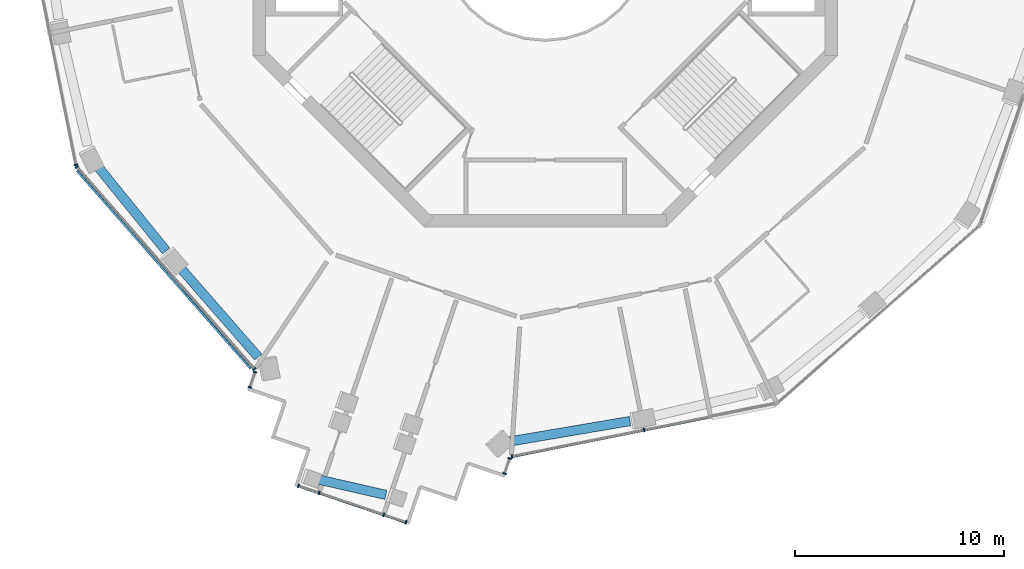
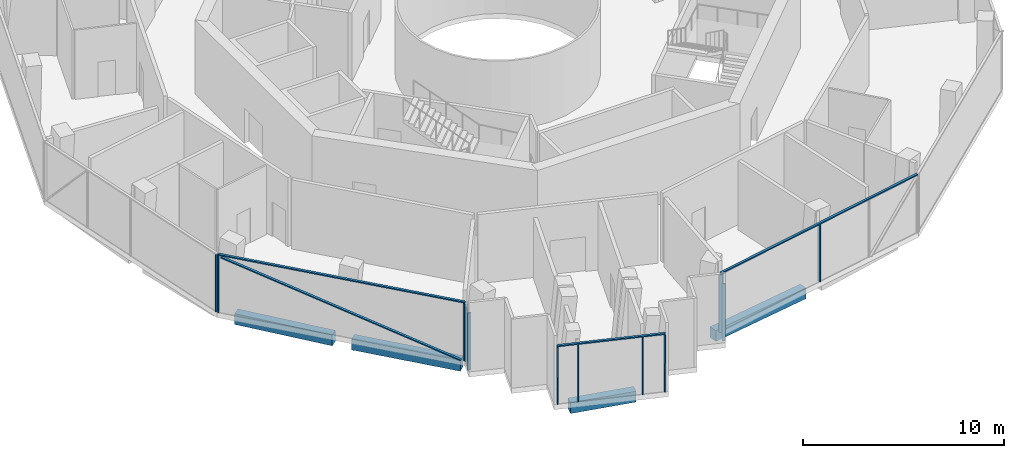
# One storey, part 2 of 17: 17 members, 4 beams, 6 elements without a shape of their own.
"""IFC4 building model written with IfcOpenShell, lengths in metres."""

from ifc_helpers import new_model, si_unit, direction, frame, origin, origin_2d, place, context, subcontext, project, spatial, rectangle, extrude, material, layer, layer_set, material_profile, profile_set, type_object, element, aggregate, save


model = new_model("IFC4")

# Units and contexts
model_context = context("Model", 3, precision=1e-05, world=origin(), true_north=direction((0.0, 1.0)))
body_context = subcontext(model_context, "Body", "Model", "MODEL_VIEW")
ifc_project = project(units=[si_unit("LENGTHUNIT", "METRE"), si_unit("AREAUNIT", "SQUARE_METRE"), si_unit("VOLUMEUNIT", "CUBIC_METRE"), si_unit("PLANEANGLEUNIT", "RADIAN"), si_unit("MASSUNIT", "GRAM", prefix="KILO")], contexts=[model_context])

# Site, building, storey
site_placement = place(None, origin())
site = spatial("IfcSite", under=ifc_project, at=site_placement, CompositionType="ELEMENT")
building_placement = place(site_placement, origin())
building = spatial("IfcBuilding", under=site, at=building_placement, Name="Verdalira Terraces Hotel", CompositionType="ELEMENT")
storey_placement = place(building_placement, frame((0.0, 0.0, 201.0)))
storey = spatial("IfcBuildingStorey", under=building, at=storey_placement, Name="L49", CompositionType="ELEMENT", Elevation=201.0)

# Curtain wall, member
ifc_material_1 = material(Name="Clear glass", Category="glass")
ifc_layer = layer(ifc_material_1, 0.179931640625)
ifc_layer_set = layer_set([ifc_layer], Name="CW4 curtain wall")
curtain_wall_type = type_object("IfcCurtainWallType", Name="CW4 curtain wall", PredefinedType="NOTDEFINED", material=ifc_layer_set)
curtain_wall_1_placement = place(storey_placement, origin())
curtain_wall_1 = element("IfcCurtainWall", 1, at=curtain_wall_1_placement, inside=storey, type_object=curtain_wall_type, Name="CW4 curtain wall L49 edge 12", PredefinedType="NOTDEFINED")
ifc_material_2 = material(Name="Terracotta frame", Category="masonry")
ifc_material_profile_1 = material_profile(ifc_material_2, rectangle(XDim=0.064941, YDim=0.179932, at=origin_2d()), Name="MU 65x180")
ifc_profile_set_1 = profile_set([ifc_material_profile_1], Name="Terracotta frame")
member_type_1 = type_object("IfcMemberType", Name="CW4 mullion 65x180", PredefinedType="MULLION", material=ifc_profile_set_1)
member_1_placement = place(storey_placement, frame((-22.473633, -11.036377, 0.0), z_axis=(0.0, 0.0, 1.0), x_axis=(0.195603833, -0.980682997, 0.0)))
member_1 = element("IfcMember", 2, at=member_1_placement, type_object=member_type_1, Name="CW4 mullion", PredefinedType="MULLION", context=body_context, shape_type="SweptSolid", body=[
    extrude(rectangle(XDim=0.064941, YDim=0.179932, at=origin_2d()), origin(), (0.0, 0.0, 1.0), 3.469971),
])
aggregate(curtain_wall_1, [member_1])

# Curtain wall, members
curtain_wall_2_placement = place(storey_placement, origin())
curtain_wall_2 = element("IfcCurtainWall", 3, at=curtain_wall_2_placement, inside=storey, type_object=curtain_wall_type, Name="CW4 curtain wall L49 edge 13", PredefinedType="NOTDEFINED")
member_2_placement = place(storey_placement, frame((-22.425293, -11.134521, 0.0), z_axis=(0.0, 0.0, 1.0), x_axis=(0.659739387, -0.751494472, 0.0)))
member_2 = element("IfcMember", 4, at=member_2_placement, type_object=member_type_1, Name="CW4 mullion", PredefinedType="MULLION", context=body_context, shape_type="SweptSolid", body=[
    extrude(rectangle(XDim=0.064941, YDim=0.179932, at=origin_2d()), origin(), (0.0, 0.0, 1.0), 3.469971),
])
member_3_placement = place(storey_placement, frame((-13.929443, -20.811768, 0.0), z_axis=(0.0, 0.0, 1.0), x_axis=(0.659739387, -0.751494472, 0.0)))
member_3 = element("IfcMember", 5, at=member_3_placement, type_object=member_type_1, Name="CW4 mullion", PredefinedType="MULLION", context=body_context, shape_type="SweptSolid", body=[
    extrude(rectangle(XDim=0.064941, YDim=0.179932, at=origin_2d()), origin(), (0.0, 0.0, 1.0), 3.469971),
])

curtain_wall_3_placement = place(storey_placement, origin())
curtain_wall_3 = element("IfcCurtainWall", 6, at=curtain_wall_3_placement, inside=storey, type_object=curtain_wall_type, Name="CW4 curtain wall L49 edge 14", PredefinedType="NOTDEFINED")
member_4_placement = place(storey_placement, frame((-13.900879, -20.955322, 0.0), z_axis=(0.0, 0.0, 1.0), x_axis=(-0.32094361, -0.947098305, 0.0)))
member_4 = element("IfcMember", 7, at=member_4_placement, type_object=member_type_1, Name="CW4 mullion", PredefinedType="MULLION", context=body_context, shape_type="SweptSolid", body=[
    extrude(rectangle(XDim=0.064941, YDim=0.179932, at=origin_2d()), origin(), (0.0, 0.0, 1.0), 3.469971),
])
member_5_placement = place(storey_placement, frame((-14.147217, -21.682373, 0.0), z_axis=(0.0, 0.0, 1.0), x_axis=(-0.32094361, -0.947098305, 0.0)))
member_5 = element("IfcMember", 8, at=member_5_placement, type_object=member_type_1, Name="CW4 mullion", PredefinedType="MULLION", context=body_context, shape_type="SweptSolid", body=[
    extrude(rectangle(XDim=0.064941, YDim=0.179932, at=origin_2d()), origin(), (0.0, 0.0, 1.0), 3.469971),
])
aggregate(curtain_wall_3, [member_4, member_5])

curtain_wall_4_placement = place(storey_placement, origin())
curtain_wall_4 = element("IfcCurtainWall", 9, at=curtain_wall_4_placement, inside=storey, type_object=curtain_wall_type, Name="CW4 curtain wall L49 edge 19", PredefinedType="NOTDEFINED")
member_6_placement = place(storey_placement, frame((-11.816406, -26.402588, 0.0), z_axis=(0.0, 0.0, 1.0), x_axis=(0.947098305, -0.32094361, 0.0)))
member_6 = element("IfcMember", 10, at=member_6_placement, type_object=member_type_1, Name="CW4 mullion", PredefinedType="MULLION", context=body_context, shape_type="SweptSolid", body=[
    extrude(rectangle(XDim=0.064941, YDim=0.179932, at=origin_2d()), origin(), (0.0, 0.0, 1.0), 3.469971),
])
member_7_placement = place(storey_placement, frame((-10.825684, -26.738281, 0.0), z_axis=(0.0, 0.0, 1.0), x_axis=(0.947098305, -0.32094361, 0.0)))
member_7 = element("IfcMember", 11, at=member_7_placement, type_object=member_type_1, Name="CW4 mullion", PredefinedType="MULLION", context=body_context, shape_type="SweptSolid", body=[
    extrude(rectangle(XDim=0.064941, YDim=0.179932, at=origin_2d()), origin(), (0.0, 0.0, 1.0), 3.469971),
])
member_8_placement = place(storey_placement, frame((-7.733887, -27.786133, 0.0), z_axis=(0.0, 0.0, 1.0), x_axis=(0.947098305, -0.32094361, 0.0)))
member_8 = element("IfcMember", 12, at=member_8_placement, type_object=member_type_1, Name="CW4 mullion", PredefinedType="MULLION", context=body_context, shape_type="SweptSolid", body=[
    extrude(rectangle(XDim=0.064941, YDim=0.179932, at=origin_2d()), origin(), (0.0, 0.0, 1.0), 3.469971),
])
member_9_placement = place(storey_placement, frame((-6.668945, -28.146973, 0.0), z_axis=(0.0, 0.0, 1.0), x_axis=(0.947098305, -0.32094361, 0.0)))
member_9 = element("IfcMember", 13, at=member_9_placement, type_object=member_type_1, Name="CW4 mullion", PredefinedType="MULLION", context=body_context, shape_type="SweptSolid", body=[
    extrude(rectangle(XDim=0.064941, YDim=0.179932, at=origin_2d()), origin(), (0.0, 0.0, 1.0), 3.469971),
])

curtain_wall_5_placement = place(storey_placement, origin())
curtain_wall_5 = element("IfcCurtainWall", 14, at=curtain_wall_5_placement, inside=storey, type_object=curtain_wall_type, Name="CW4 curtain wall L49 edge 24", PredefinedType="NOTDEFINED")
member_10_placement = place(storey_placement, frame((-1.94873, -25.816162, 0.0), z_axis=(0.0, 0.0, 1.0), x_axis=(0.32094361, 0.947098305, 0.0)))
member_10 = element("IfcMember", 15, at=member_10_placement, type_object=member_type_1, Name="CW4 mullion", PredefinedType="MULLION", context=body_context, shape_type="SweptSolid", body=[
    extrude(rectangle(XDim=0.064941, YDim=0.179932, at=origin_2d()), origin(), (0.0, 0.0, 1.0), 3.469971),
])
member_11_placement = place(storey_placement, frame((-1.702148, -25.089111, 0.0), z_axis=(0.0, 0.0, 1.0), x_axis=(0.32094361, 0.947098305, 0.0)))
member_11 = element("IfcMember", 16, at=member_11_placement, type_object=member_type_1, Name="CW4 mullion", PredefinedType="MULLION", context=body_context, shape_type="SweptSolid", body=[
    extrude(rectangle(XDim=0.064941, YDim=0.179932, at=origin_2d()), origin(), (0.0, 0.0, 1.0), 3.469971),
])
aggregate(curtain_wall_5, [member_10, member_11])

curtain_wall_6_placement = place(storey_placement, origin())
curtain_wall_6 = element("IfcCurtainWall", 17, at=curtain_wall_6_placement, inside=storey, type_object=curtain_wall_type, Name="CW4 curtain wall L49 edge 25", PredefinedType="NOTDEFINED")
member_12_placement = place(storey_placement, frame((-1.592285, -24.992676, 0.0), z_axis=(0.0, 0.0, 1.0), x_axis=(0.980682997, 0.195603833, 0.0)))
member_12 = element("IfcMember", 18, at=member_12_placement, type_object=member_type_1, Name="CW4 mullion", PredefinedType="MULLION", context=body_context, shape_type="SweptSolid", body=[
    extrude(rectangle(XDim=0.064941, YDim=0.179932, at=origin_2d()), origin(), (0.0, 0.0, 1.0), 3.469971),
])
member_13_placement = place(storey_placement, frame((4.733398, -23.730957, 0.0), z_axis=(0.0, 0.0, 1.0), x_axis=(0.980682997, 0.195603833, 0.0)))
member_13 = element("IfcMember", 19, at=member_13_placement, type_object=member_type_1, Name="CW4 mullion", PredefinedType="MULLION", context=body_context, shape_type="SweptSolid", body=[
    extrude(rectangle(XDim=0.064941, YDim=0.179932, at=origin_2d()), origin(), (0.0, 0.0, 1.0), 3.469971),
])

# Member
ifc_material_3 = material(Name="Terracotta frame", Category="masonry")
ifc_material_profile_2 = material_profile(ifc_material_3, rectangle(XDim=0.139893, YDim=0.070068, at=origin_2d()), Name="TR 70x140")
ifc_profile_set_2 = profile_set([ifc_material_profile_2], Name="Terracotta frame")
member_type_2 = type_object("IfcMemberType", Name="CW4 transom 70x140", PredefinedType="USERDEFINED", material=ifc_profile_set_2)
member_14_placement = place(storey_placement, frame((-22.446777, -11.110107, 3.504883), z_axis=(0.659751032, -0.751484249, 0.0), x_axis=(0.751484249, 0.659751032, 0.0)))
member_14 = element("IfcMember", 20, at=member_14_placement, type_object=member_type_2, Name="CW4 transom", ObjectType="TRANSOM", PredefinedType="USERDEFINED", context=body_context, shape_type="SweptSolid", body=[
    extrude(rectangle(XDim=0.139893, YDim=0.070068, at=origin_2d()), origin(), (0.0, 0.0, 1.0), 12.942383),
])

member_15_placement = place(storey_placement, frame((-11.847168, -26.392334, 3.504883), z_axis=(0.947100187, -0.320938056, 0.0), x_axis=(0.320938056, 0.947100187, 0.0)))
member_15 = element("IfcMember", 21, at=member_15_placement, type_object=member_type_2, Name="CW4 transom", ObjectType="TRANSOM", PredefinedType="USERDEFINED", context=body_context, shape_type="SweptSolid", body=[
    extrude(rectangle(XDim=0.139893, YDim=0.070068, at=origin_2d()), origin(), (0.0, 0.0, 1.0), 5.5),
])

aggregate(curtain_wall_4, [member_6, member_7, member_8, member_9, member_15])

member_16_placement = place(storey_placement, frame((-1.624268, -24.999023, 3.504883), z_axis=(0.980681392, 0.19561188, 0.0), x_axis=(-0.19561188, 0.980681392, 0.0)))
member_16 = element("IfcMember", 22, at=member_16_placement, type_object=member_type_2, Name="CW4 transom", ObjectType="TRANSOM", PredefinedType="USERDEFINED", context=body_context, shape_type="SweptSolid", body=[
    extrude(rectangle(XDim=0.139893, YDim=0.070068, at=origin_2d()), origin(), (0.0, 0.0, 1.0), 12.942627),
])

aggregate(curtain_wall_6, [member_12, member_13, member_16])

ifc_material_4 = material(Name="Terracotta frame", Category="masonry")
ifc_material_profile_3 = material_profile(ifc_material_4, rectangle(XDim=0.149902, YDim=0.060059, at=origin_2d()), Name="GB 60x150")
ifc_profile_set_3 = profile_set([ifc_material_profile_3], Name="Terracotta frame")
member_type_3 = type_object("IfcMemberType", Name="Diagonal glazing bar 60x150", PredefinedType="USERDEFINED", material=ifc_profile_set_3)
member_17_placement = place(storey_placement, frame((-22.401855, -11.302002, 3.44043), z_axis=(0.636796439, -0.725369801, -0.261398062), x_axis=(0.751498589, 0.659734697, 0.0)))
member_17 = element("IfcMember", 23, at=member_17_placement, type_object=member_type_3, Name="Diagonal glazing bar", ObjectType="GLAZING BAR", PredefinedType="USERDEFINED", context=body_context, shape_type="SweptSolid", body=[
    extrude(rectangle(XDim=0.149902, YDim=0.060059, at=origin_2d()), origin(), (0.0, 0.0, 1.0), 13.048584),
])

aggregate(curtain_wall_2, [member_2, member_3, member_14, member_17])

# Beams
ifc_material_5 = material(Name="Concrete C50", Category="concrete")
ifc_material_profile_4 = material_profile(ifc_material_5, rectangle(XDim=0.449951, YDim=0.649902, at=origin_2d()), Name="RC 450X650")
ifc_profile_set_4 = profile_set([ifc_material_profile_4], Name="Concrete C50")
beam_type = type_object("IfcBeamType", Name="Spandrel beam RC 450X650 C50", PredefinedType="SPANDREL", material=ifc_profile_set_4)
beam_1_placement = place(storey_placement, frame((-21.414551, -11.123779, -0.63501), z_axis=(0.629443036, -0.777046629, 0.0), x_axis=(0.777046629, 0.629443036, 0.0)))
element("IfcBeam", 24, at=beam_1_placement, inside=storey, type_object=beam_type, Name="Spandrel beam B08", PredefinedType="SPANDREL", context=body_context, shape_type="SweptSolid", body=[
    extrude(rectangle(XDim=0.449951, YDim=0.649902, at=origin_2d()), origin(), (0.0, 0.0, 1.0), 5.191895),
])
beam_2_placement = place(storey_placement, frame((-17.493896, -15.934814, -0.63501), z_axis=(0.657474194, -0.753477063, 0.0), x_axis=(0.753477063, 0.657474194, 0.0)))
element("IfcBeam", 25, at=beam_2_placement, inside=storey, type_object=beam_type, Name="Spandrel beam B09", PredefinedType="SPANDREL", context=body_context, shape_type="SweptSolid", body=[
    extrude(rectangle(XDim=0.449951, YDim=0.649902, at=origin_2d()), origin(), (0.0, 0.0, 1.0), 5.706543),
])
beam_3_placement = place(storey_placement, frame((-10.947021, -26.076904, -0.63501), z_axis=(0.974915439, -0.222575575, 0.0), x_axis=(0.222575575, 0.974915439, 0.0)))
element("IfcBeam", 26, at=beam_3_placement, inside=storey, type_object=beam_type, Name="Spandrel beam B10", PredefinedType="SPANDREL", context=body_context, shape_type="SweptSolid", body=[
    extrude(rectangle(XDim=0.449951, YDim=0.649902, at=origin_2d()), origin(), (0.0, 0.0, 1.0), 3.404785),
])
beam_4_placement = place(storey_placement, frame((-1.672607, -24.270996, -0.63501), z_axis=(0.985933866, 0.167135905, 0.0), x_axis=(-0.167135905, 0.985933866, 0.0)))
element("IfcBeam", 27, at=beam_4_placement, inside=storey, type_object=beam_type, Name="Spandrel beam B11", PredefinedType="SPANDREL", context=body_context, shape_type="SweptSolid", body=[
    extrude(rectangle(XDim=0.449951, YDim=0.649902, at=origin_2d()), origin(), (0.0, 0.0, 1.0), 5.813721),
])

save(model, "model.ifc")
